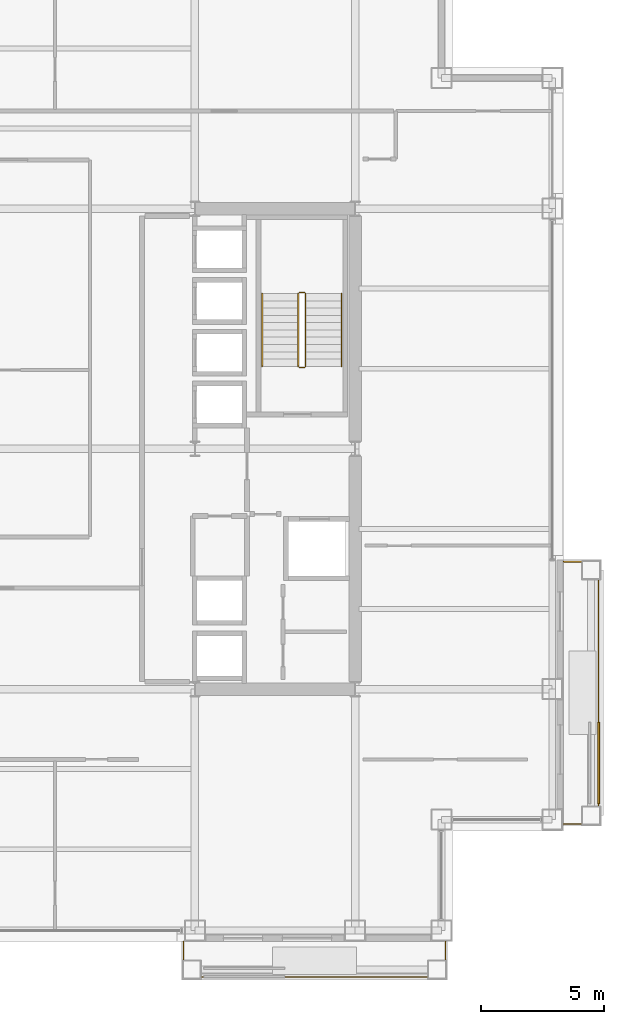
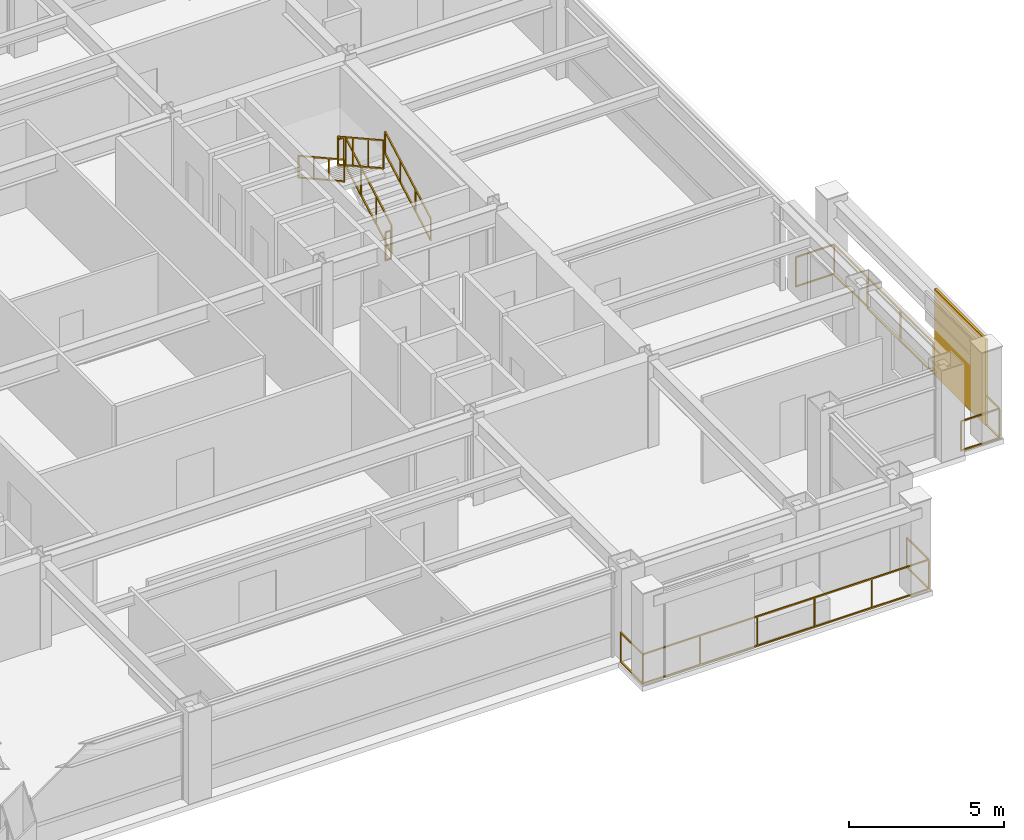
# One storey, part 30 of 31: 8 railings, 1 shading device.
"""IFC4 building model written with IfcOpenShell, lengths in metres."""

import ifcopenshell
import ifcopenshell.guid

model = None  # the IFC model being written
_history = None  # IfcOwnerHistory: only IFC2X3 demands one
_inside = {}  # id of a spatial element -> (the spatial element, [elements in it])
_under = {}  # id of a project, library or spatial element -> (it, [spatial elements below it])
_declared = {}  # id of a project -> (the project, [libraries it declares])
_typed = {}  # id of a type object -> (the type object, [elements of that type])
_made_of = {}  # id of a material, layer set ... -> (it, [elements and type objects made of it])


def new_model(schema):
    """Start an empty IFC model of exactly this schema.

    Asked for "IFC4X3", IfcOpenShell would pick the latest addendum, in which some entities
    have other attributes; the version numbers below select the first issue.
    IFC2X3 requires an IfcOwnerHistory on every rooted entity: one is made here for all.
    """
    global model, _history
    if schema == "IFC4X3":
        model = ifcopenshell.file(schema_version=(4, 3, 0, 0))
    else:
        model = ifcopenshell.file(schema=schema)
    _inside.clear()
    _under.clear()
    _declared.clear()
    _typed.clear()
    _made_of.clear()
    _history = None
    if model.schema == "IFC2X3":
        org = make("IfcOrganization", Name="unknown")
        user = make(
            "IfcPersonAndOrganization",
            ThePerson=make("IfcPerson", FamilyName="unknown"),
            TheOrganization=org,
        )
        app = make(
            "IfcApplication",
            ApplicationDeveloper=org,
            Version="unknown",
            ApplicationFullName="unknown",
            ApplicationIdentifier="unknown",
        )
        _history = make(
            "IfcOwnerHistory",
            OwningUser=user,
            OwningApplication=app,
            ChangeAction="ADDED",
            CreationDate=0,
        )
    return model


def make(cls, **values):
    """One entity of the class cls with the attributes given. An attribute that is None is left unset."""
    return model.create_entity(
        cls, **{name: value for name, value in values.items() if value is not None}
    )


def rooted(cls, **values):
    """An entity with a GlobalId (a new one), such as an element, a storey or a relation."""
    return make(cls, GlobalId=ifcopenshell.guid.new(), OwnerHistory=_history, **values)


def si_unit(unit_type, name, prefix=None):
    """IfcSIUnit, for example si_unit("LENGTHUNIT", "METRE", prefix="MILLI")."""
    return make("IfcSIUnit", UnitType=unit_type, Prefix=prefix, Name=name)


def assignment(units):
    """IfcUnitAssignment: the units of a project."""
    return None if units is None else make("IfcUnitAssignment", Units=units)


def point(xyz):
    """IfcCartesianPoint."""
    return None if xyz is None else make("IfcCartesianPoint", Coordinates=xyz)


def direction(xyz):
    """IfcDirection."""
    return None if xyz is None else make("IfcDirection", DirectionRatios=xyz)


def frame(location, z_axis=None, x_axis=None):
    """IfcAxis2Placement3D, a coordinate frame: its origin and axes. An axis left out is left unset."""
    return make(
        "IfcAxis2Placement3D",
        Location=point(location),
        Axis=direction(z_axis),
        RefDirection=direction(x_axis),
    )


def frame_2d(location, x_axis=None):
    """IfcAxis2Placement2D, a coordinate frame in the plane: its origin and x axis."""
    return make(
        "IfcAxis2Placement2D", Location=point(location), RefDirection=direction(x_axis)
    )


def origin():
    """The frame at (0, 0, 0) with its axes left unset."""
    return frame((0.0, 0.0, 0.0))


def origin_2d():
    """The frame at (0, 0) in the plane with its x axis left unset."""
    return frame_2d((0.0, 0.0))


def place(relative_to, where):
    """IfcLocalPlacement: puts the frame where relative to a parent placement (None: the world)."""
    return make(
        "IfcLocalPlacement", PlacementRelTo=relative_to, RelativePlacement=where
    )


def context(
    kind, dimensions, precision=None, world=None, true_north=None, identifier=None
):
    """IfcGeometricRepresentationContext, for example the 3D "Model" context."""
    return make(
        "IfcGeometricRepresentationContext",
        ContextIdentifier=identifier,
        ContextType=kind,
        CoordinateSpaceDimension=dimensions,
        Precision=precision,
        WorldCoordinateSystem=world,
        TrueNorth=true_north,
    )


def subcontext(parent, identifier, kind, view, scale=None):
    """IfcGeometricRepresentationSubContext, for example "Body" below "Model"."""
    return make(
        "IfcGeometricRepresentationSubContext",
        ContextIdentifier=identifier,
        ContextType=kind,
        ParentContext=parent,
        TargetScale=scale,
        TargetView=view,
    )


def project(units=None, contexts=None):
    """IfcProject with its units and contexts."""
    return rooted(
        "IfcProject",
        Name="project",
        RepresentationContexts=contexts,
        UnitsInContext=assignment(units),
    )


def spatial(cls, under=None, at=None, **own):
    """A site, building, storey or space (cls), placed at a placement, below another one or the project."""
    s = rooted(cls, ObjectPlacement=at, **own)
    if under is not None:
        _under.setdefault(under.id(), (under, []))[1].append(s)
    return s


def profile(cls, at=None, kind="AREA", **sizes):
    """A parametric profile (cls). Its sizes go by their IFC names, for example OverallWidth=200.0."""
    return make(cls, ProfileType=kind, Position=at, **sizes)


def rectangle(**sizes):
    """IfcRectangleProfileDef."""
    return profile("IfcRectangleProfileDef", **sizes)


def extrude(swept, where, along, depth):
    """IfcExtrudedAreaSolid: the profile swept, set in the frame where, extruded along a direction by depth."""
    return make(
        "IfcExtrudedAreaSolid",
        SweptArea=swept,
        Position=where,
        ExtrudedDirection=direction(along),
        Depth=depth,
    )


def shape(context_of_items, identifier, shape_type, items):
    """IfcShapeRepresentation: the items that make up one representation, for example the "Body"."""
    return make(
        "IfcShapeRepresentation",
        ContextOfItems=context_of_items,
        RepresentationIdentifier=identifier,
        RepresentationType=shape_type,
        Items=items,
    )


def material(Name=None, Category=None):
    """IfcMaterial."""
    return make("IfcMaterial", Name=Name, Category=Category)


def layer(
    of_material, thickness, ventilated=None, Name=None, Category=None, Priority=None
):
    """IfcMaterialLayer: one layer of a wall or slab, of a material (None: an air gap)."""
    return make(
        "IfcMaterialLayer",
        Material=of_material,
        LayerThickness=thickness,
        IsVentilated=ventilated,
        Name=Name,
        Category=Category,
        Priority=Priority,
    )


def layer_set(layers, Name=None):
    """IfcMaterialLayerSet."""
    return make("IfcMaterialLayerSet", MaterialLayers=layers, LayerSetName=Name)


def made_of(thing, what):
    """Note that an element or type object is made of a material, layer set ...; save() writes the relation."""
    if what is not None:
        _made_of.setdefault(what.id(), (what, []))[1].append(thing)
    return thing


def type_object(cls, material=None, **own):
    """A type object (cls), such as IfcWallType, which elements share."""
    return made_of(rooted(cls, **own), material)


def element(
    cls,
    number,
    at=None,
    inside=None,
    cuts=None,
    type_object=None,
    material=None,
    context=None,
    identifier="Body",
    shape_type=None,
    held_by="IfcProductDefinitionShape",
    body=None,
    shapes=None,
    **own,
):
    """One element of the class cls, such as IfcWall. Its Tag is "e" and its number.

    at: its placement. inside: the storey or other place that contains it. cuts: it is an
    opening in that element (IfcRelVoidsElement). A single representation is given by context,
    identifier, shape_type and body (its items); several are given by shapes. held_by: the class
    of the entity that holds the representations. save() writes the other relations.
    """
    e = rooted(cls, Tag="e%d" % number, ObjectPlacement=at, **own)
    if body is not None:
        shapes = [shape(context, identifier, shape_type, body)]
    if shapes is not None:
        e.Representation = make(held_by, Representations=shapes)
    if inside is not None:
        _inside.setdefault(inside.id(), (inside, []))[1].append(e)
    if cuts is not None:
        rooted(
            "IfcRelVoidsElement", RelatingBuildingElement=cuts, RelatedOpeningElement=e
        )
    if type_object is not None:
        _typed.setdefault(type_object.id(), (type_object, []))[1].append(e)
    return made_of(e, material)


def aggregate(whole, parts):
    """IfcRelAggregates: a whole, such as a stair, and the parts it consists of."""
    return rooted("IfcRelAggregates", RelatingObject=whole, RelatedObjects=parts)


def save(model, path):
    """Write the relations noted so far, then the file.

    IfcRelAggregates (storeys below a building ...), IfcRelContainedInSpatialStructure (elements
    in a storey), IfcRelDefinesByType, IfcRelAssociatesMaterial and IfcRelDeclares: one each for
    every whole, place, type object, material and project.
    """
    for whole, parts in _under.values():
        aggregate(whole, parts)
    for where, things in _inside.values():
        rooted(
            "IfcRelContainedInSpatialStructure",
            RelatedElements=things,
            RelatingStructure=where,
        )
    for kind, things in _typed.values():
        rooted("IfcRelDefinesByType", RelatedObjects=things, RelatingType=kind)
    for what, things in _made_of.values():
        rooted("IfcRelAssociatesMaterial", RelatedObjects=things, RelatingMaterial=what)
    for by, libraries in _declared.values():
        rooted("IfcRelDeclares", RelatingContext=by, RelatedDefinitions=libraries)
    model.write(path)


model = new_model("IFC4")

# Units and contexts
model_context = context("Model", 3, precision=1e-05, world=origin(), true_north=direction((0.0, 1.0)))
body_context = subcontext(model_context, "Body", "Model", "MODEL_VIEW")
ifc_project = project(units=[si_unit("LENGTHUNIT", "METRE"), si_unit("AREAUNIT", "SQUARE_METRE"), si_unit("VOLUMEUNIT", "CUBIC_METRE"), si_unit("PLANEANGLEUNIT", "RADIAN"), si_unit("MASSUNIT", "GRAM", prefix="KILO")], contexts=[model_context])

# Site, building, storey
site_placement = place(None, origin())
site = spatial("IfcSite", under=ifc_project, at=site_placement, CompositionType="ELEMENT")
building_placement = place(site_placement, origin())
building = spatial("IfcBuilding", under=site, at=building_placement, Name="Brelmoor Portico Tower", CompositionType="ELEMENT")
storey_placement = place(building_placement, frame((0.0, 0.0, 113.39990234375)))
storey = spatial("IfcBuildingStorey", under=building, at=storey_placement, Name="L29", CompositionType="ELEMENT", Elevation=113.39990234375)

# Railings
ifc_material_1 = material(Name="Perforated Pale Champagne Aluminium Fretwork Guard", Category="aluminium")
railing_type_1 = type_object("IfcRailingType", Name="RL-BALUSTRADE-1200", PredefinedType="BALUSTRADE", material=ifc_material_1)
railing_1_placement = place(storey_placement, frame((7.580078125, -20.0, 0.0)))
element("IfcRailing", 1, at=railing_1_placement, inside=storey, type_object=railing_type_1, Name="L29 Tree Balcony Fretwork Balustrade S", PredefinedType="BALUSTRADE", context=body_context, shape_type="SweptSolid", body=[
    extrude(rectangle(XDim=0.048095703125, YDim=0.048095703125, at=origin_2d()), frame((0.0, 0.0, 1.17578125), z_axis=(0.0, -1.0, 0.0), x_axis=(1.0, 0.0, 0.0)), (0.0, 0.0, 1.0), 1.429931640625),
    extrude(rectangle(XDim=0.048095703125, YDim=0.048095703125, at=origin_2d()), frame((0.0, 0.0, 0.02392578125), z_axis=(0.0, -1.0, 0.0), x_axis=(1.0, 0.0, 0.0)), (0.0, 0.0, 1.0), 1.429931640625),
    extrude(rectangle(XDim=0.048095703125, YDim=0.048095703125, at=origin_2d()), frame((0.0, -1.429931640625, 1.17578125), z_axis=(1.0, 0.0, 0.0), x_axis=(0.0, 1.0, 0.0)), (0.0, 0.0, 1.0), 10.639892578125),
    extrude(rectangle(XDim=0.048095703125, YDim=0.048095703125, at=origin_2d()), frame((0.0, -1.429931640625, 0.02392578125), z_axis=(1.0, 0.0, 0.0), x_axis=(0.0, 1.0, 0.0)), (0.0, 0.0, 1.0), 10.639892578125),
    extrude(rectangle(XDim=0.048095703125, YDim=0.048095703125, at=origin_2d()), frame((10.639892578125, -1.429931640625, 1.17578125), z_axis=(0.0, 1.0, 0.0), x_axis=(-1.0, 0.0, 0.0)), (0.0, 0.0, 1.0), 1.429931640625),
    extrude(rectangle(XDim=0.048095703125, YDim=0.048095703125, at=origin_2d()), frame((10.639892578125, -1.429931640625, 0.02392578125), z_axis=(0.0, 1.0, 0.0), x_axis=(-1.0, 0.0, 0.0)), (0.0, 0.0, 1.0), 1.429931640625),
    extrude(rectangle(XDim=0.0419921875, YDim=0.0419921875, at=origin_2d()), origin(), (0.0, 0.0, 1.0), 1.15185546875),
    extrude(rectangle(XDim=0.0419921875, YDim=0.0419921875, at=origin_2d()), frame((0.0, -1.429931640625, 0.0)), (0.0, 0.0, 1.0), 1.15185546875),
    extrude(rectangle(XDim=0.0419921875, YDim=0.0419921875, at=origin_2d()), frame((2.1279296875, -1.429931640625, 0.0)), (0.0, 0.0, 1.0), 1.15185546875),
    extrude(rectangle(XDim=0.0419921875, YDim=0.0419921875, at=origin_2d()), frame((4.255859375, -1.429931640625, 0.0)), (0.0, 0.0, 1.0), 1.15185546875),
    extrude(rectangle(XDim=0.0419921875, YDim=0.0419921875, at=origin_2d()), frame((6.384033203125, -1.429931640625, 0.0)), (0.0, 0.0, 1.0), 1.15185546875),
    extrude(rectangle(XDim=0.0419921875, YDim=0.0419921875, at=origin_2d()), frame((8.511962890625, -1.429931640625, 0.0)), (0.0, 0.0, 1.0), 1.15185546875),
    extrude(rectangle(XDim=0.0419921875, YDim=0.0419921875, at=origin_2d()), frame((10.639892578125, -1.429931640625, 0.0)), (0.0, 0.0, 1.0), 1.15185546875),
    extrude(rectangle(XDim=0.0419921875, YDim=0.0419921875, at=origin_2d()), frame((10.639892578125, 0.0, 0.0)), (0.0, 0.0, 1.0), 1.15185546875),
])
railing_2_placement = place(storey_placement, frame((23.0, -15.219970703125, 0.0)))
element("IfcRailing", 2, at=railing_2_placement, inside=storey, type_object=railing_type_1, Name="L29 Tree Balcony Fretwork Balustrade E", PredefinedType="BALUSTRADE", context=body_context, shape_type="SweptSolid", body=[
    extrude(rectangle(XDim=0.048095703125, YDim=0.048095703125, at=origin_2d()), frame((0.0, 0.0, 1.17578125), z_axis=(1.0, 0.0, 0.0), x_axis=(0.0, 1.0, 0.0)), (0.0, 0.0, 1.0), 1.429931640625),
    extrude(rectangle(XDim=0.048095703125, YDim=0.048095703125, at=origin_2d()), frame((0.0, 0.0, 0.02392578125), z_axis=(1.0, 0.0, 0.0), x_axis=(0.0, 1.0, 0.0)), (0.0, 0.0, 1.0), 1.429931640625),
    extrude(rectangle(XDim=0.048095703125, YDim=0.048095703125, at=origin_2d()), frame((1.429931640625, 0.0, 1.17578125), z_axis=(0.0, 1.0, 0.0), x_axis=(-1.0, 0.0, 0.0)), (0.0, 0.0, 1.0), 10.639892578125),
    extrude(rectangle(XDim=0.048095703125, YDim=0.048095703125, at=origin_2d()), frame((1.429931640625, 0.0, 0.02392578125), z_axis=(0.0, 1.0, 0.0), x_axis=(-1.0, 0.0, 0.0)), (0.0, 0.0, 1.0), 10.639892578125),
    extrude(rectangle(XDim=0.048095703125, YDim=0.048095703125, at=origin_2d()), frame((1.429931640625, 10.639892578125, 1.17578125), z_axis=(-1.0, 0.0, 0.0), x_axis=(0.0, -1.0, 0.0)), (0.0, 0.0, 1.0), 1.429931640625),
    extrude(rectangle(XDim=0.048095703125, YDim=0.048095703125, at=origin_2d()), frame((1.429931640625, 10.639892578125, 0.02392578125), z_axis=(-1.0, 0.0, 0.0), x_axis=(0.0, -1.0, 0.0)), (0.0, 0.0, 1.0), 1.429931640625),
    extrude(rectangle(XDim=0.0419921875, YDim=0.0419921875, at=origin_2d()), origin(), (0.0, 0.0, 1.0), 1.15185546875),
    extrude(rectangle(XDim=0.0419921875, YDim=0.0419921875, at=origin_2d()), frame((1.429931640625, 0.0, 0.0)), (0.0, 0.0, 1.0), 1.15185546875),
    extrude(rectangle(XDim=0.0419921875, YDim=0.0419921875, at=origin_2d()), frame((1.429931640625, 2.1279296875, 0.0)), (0.0, 0.0, 1.0), 1.15185546875),
    extrude(rectangle(XDim=0.0419921875, YDim=0.0419921875, at=origin_2d()), frame((1.429931640625, 4.255859375, 0.0)), (0.0, 0.0, 1.0), 1.15185546875),
    extrude(rectangle(XDim=0.0419921875, YDim=0.0419921875, at=origin_2d()), frame((1.429931640625, 6.384033203125, 0.0)), (0.0, 0.0, 1.0), 1.15185546875),
    extrude(rectangle(XDim=0.0419921875, YDim=0.0419921875, at=origin_2d()), frame((1.429931640625, 8.511962890625, 0.0)), (0.0, 0.0, 1.0), 1.15185546875),
    extrude(rectangle(XDim=0.0419921875, YDim=0.0419921875, at=origin_2d()), frame((1.429931640625, 10.639892578125, 0.0)), (0.0, 0.0, 1.0), 1.15185546875),
    extrude(rectangle(XDim=0.0419921875, YDim=0.0419921875, at=origin_2d()), frame((0.0, 10.639892578125, 0.0)), (0.0, 0.0, 1.0), 1.15185546875),
])
ifc_material_2 = material(Name="Painted Tubular Steel Q235B", Category="steel")
railing_type_2 = type_object("IfcRailingType", Name="RL-STAIR-GUARD", PredefinedType="GUARDRAIL", material=ifc_material_2)
railing_3_placement = place(storey_placement, frame((12.5400390625, 3.35009765625, 0.163818359375)))
element("IfcRailing", 3, at=railing_3_placement, inside=storey, type_object=railing_type_2, Name="L29 ST-E stair guard 1", PredefinedType="GUARDRAIL", context=body_context, shape_type="SweptSolid", body=[
    extrude(rectangle(XDim=0.048095703125, YDim=0.048095703125, at=origin_2d()), frame((0.0, 0.0, 1.1259765625), z_axis=(0.0, 0.87448821551, 0.485046761595), x_axis=(-1.0, 0.0, 0.0)), (0.0, 0.0, 1.0), 3.373291015625),
    extrude(rectangle(XDim=0.048095703125, YDim=0.048095703125, at=origin_2d()), frame((0.0, 0.0, 0.02392578125), z_axis=(0.0, 0.87448821551, 0.485046761595), x_axis=(-1.0, 0.0, 0.0)), (0.0, 0.0, 1.0), 3.373291015625),
    extrude(rectangle(XDim=0.0419921875, YDim=0.0419921875, at=origin_2d()), origin(), (0.0, 0.0, 1.0), 1.101806640625),
    extrude(rectangle(XDim=0.0419921875, YDim=0.0419921875, at=origin_2d()), frame((0.0, 0.9833984375, 0.54541015625)), (0.0, 0.0, 1.0), 1.101806640625),
    extrude(rectangle(XDim=0.0419921875, YDim=0.0419921875, at=origin_2d()), frame((0.0, 1.966552734375, 1.0908203125)), (0.0, 0.0, 1.0), 1.101806640625),
    extrude(rectangle(XDim=0.0419921875, YDim=0.0419921875, at=origin_2d()), frame((0.0, 2.949951171875, 1.63623046875)), (0.0, 0.0, 1.0), 1.101806640625),
])
railing_4_placement = place(storey_placement, frame((12.489990234375, 6.35009765625, 1.800048828125)))
element("IfcRailing", 4, at=railing_4_placement, inside=storey, type_object=railing_type_2, Name="L29 ST-E stair guard 2", PredefinedType="GUARDRAIL", context=body_context, shape_type="SweptSolid", body=[
    extrude(rectangle(XDim=0.048095703125, YDim=0.048095703125, at=origin_2d()), frame((0.0, 0.0, 1.1259765625), z_axis=(-1.0, 0.0, 0.0), x_axis=(0.0, -1.0, 0.0)), (0.0, 0.0, 1.0), 0.199951171875),
    extrude(rectangle(XDim=0.048095703125, YDim=0.048095703125, at=origin_2d()), frame((0.0, 0.0, 0.02392578125), z_axis=(-1.0, 0.0, 0.0), x_axis=(0.0, -1.0, 0.0)), (0.0, 0.0, 1.0), 0.199951171875),
    extrude(rectangle(XDim=0.0419921875, YDim=0.0419921875, at=origin_2d()), origin(), (0.0, 0.0, 1.0), 1.101806640625),
    extrude(rectangle(XDim=0.0419921875, YDim=0.0419921875, at=origin_2d()), frame((-0.199951171875, 0.0, 0.0)), (0.0, 0.0, 1.0), 1.101806640625),
])
railing_5_placement = place(storey_placement, frame((12.239990234375, 6.300048828125, 1.963623046875)))
element("IfcRailing", 5, at=railing_5_placement, inside=storey, type_object=railing_type_2, Name="L29 ST-E stair guard 3", PredefinedType="GUARDRAIL", context=body_context, shape_type="SweptSolid", body=[
    extrude(rectangle(XDim=0.048095703125, YDim=0.048095703125, at=origin_2d()), frame((0.0, 0.0, 1.1259765625), z_axis=(0.0, -0.874457516365, 0.485102104791), x_axis=(1.0, 0.0, 0.0)), (0.0, 0.0, 1.0), 3.37353515625),
    extrude(rectangle(XDim=0.048095703125, YDim=0.048095703125, at=origin_2d()), frame((0.0, 0.0, 0.02392578125), z_axis=(0.0, -0.874457516365, 0.485102104791), x_axis=(1.0, 0.0, 0.0)), (0.0, 0.0, 1.0), 3.37353515625),
    extrude(rectangle(XDim=0.0419921875, YDim=0.0419921875, at=origin_2d()), origin(), (0.0, 0.0, 1.0), 1.101806640625),
    extrude(rectangle(XDim=0.0419921875, YDim=0.0419921875, at=origin_2d()), frame((0.0, -0.9833984375, 0.54541015625)), (0.0, 0.0, 1.0), 1.101806640625),
    extrude(rectangle(XDim=0.0419921875, YDim=0.0419921875, at=origin_2d()), frame((0.0, -1.966552734375, 1.091064453125)), (0.0, 0.0, 1.0), 1.101806640625),
    extrude(rectangle(XDim=0.0419921875, YDim=0.0419921875, at=origin_2d()), frame((0.0, -2.949951171875, 1.636474609375)), (0.0, 0.0, 1.0), 1.101806640625),
])
railing_6_placement = place(storey_placement, frame((12.489990234375, 3.300048828125, 0.0)))
element("IfcRailing", 6, at=railing_6_placement, inside=storey, type_object=railing_type_2, Name="L29 ST-E stair guard 4", PredefinedType="GUARDRAIL", context=body_context, shape_type="SweptSolid", body=[
    extrude(rectangle(XDim=0.048095703125, YDim=0.048095703125, at=origin_2d()), frame((0.0, 0.0, 1.1259765625), z_axis=(-1.0, 0.0, 0.0), x_axis=(0.0, -1.0, 0.0)), (0.0, 0.0, 1.0), 0.199951171875),
    extrude(rectangle(XDim=0.048095703125, YDim=0.048095703125, at=origin_2d()), frame((0.0, 0.0, 0.02392578125), z_axis=(-1.0, 0.0, 0.0), x_axis=(0.0, -1.0, 0.0)), (0.0, 0.0, 1.0), 0.199951171875),
    extrude(rectangle(XDim=0.0419921875, YDim=0.0419921875, at=origin_2d()), origin(), (0.0, 0.0, 1.0), 1.101806640625),
    extrude(rectangle(XDim=0.0419921875, YDim=0.0419921875, at=origin_2d()), frame((-0.199951171875, 0.0, 0.0)), (0.0, 0.0, 1.0), 1.101806640625),
])
ifc_material_3 = material(Name="Brushed Stainless Steel 304", Category="steel")
railing_type_3 = type_object("IfcRailingType", Name="RL-STAIR-HANDRAIL", PredefinedType="HANDRAIL", material=ifc_material_3)
railing_7_placement = place(storey_placement, frame((14.0, 3.35009765625, 0.163818359375)))
element("IfcRailing", 7, at=railing_7_placement, inside=storey, type_object=railing_type_3, Name="L29 ST-E stair handrail 1", PredefinedType="HANDRAIL", context=body_context, shape_type="SweptSolid", body=[
    extrude(rectangle(XDim=0.048095703125, YDim=0.048095703125, at=origin_2d()), frame((0.0, 0.0, 0.8759765625), z_axis=(0.0, 0.87448821551, 0.485046761595), x_axis=(-1.0, 0.0, 0.0)), (0.0, 0.0, 1.0), 3.373291015625),
    extrude(rectangle(XDim=0.048095703125, YDim=0.048095703125, at=origin_2d()), frame((0.0, 0.0, 0.02392578125), z_axis=(0.0, 0.87448821551, 0.485046761595), x_axis=(-1.0, 0.0, 0.0)), (0.0, 0.0, 1.0), 3.373291015625),
    extrude(rectangle(XDim=0.0419921875, YDim=0.0419921875, at=origin_2d()), origin(), (0.0, 0.0, 1.0), 0.851806640625),
    extrude(rectangle(XDim=0.0419921875, YDim=0.0419921875, at=origin_2d()), frame((0.0, 0.9833984375, 0.54541015625)), (0.0, 0.0, 1.0), 0.851806640625),
    extrude(rectangle(XDim=0.0419921875, YDim=0.0419921875, at=origin_2d()), frame((0.0, 1.966552734375, 1.0908203125)), (0.0, 0.0, 1.0), 0.851806640625),
    extrude(rectangle(XDim=0.0419921875, YDim=0.0419921875, at=origin_2d()), frame((0.0, 2.949951171875, 1.63623046875)), (0.0, 0.0, 1.0), 0.851806640625),
])
railing_8_placement = place(storey_placement, frame((10.780029296875, 6.300048828125, 1.963623046875)))
element("IfcRailing", 8, at=railing_8_placement, inside=storey, type_object=railing_type_3, Name="L29 ST-E stair handrail 2", PredefinedType="HANDRAIL", context=body_context, shape_type="SweptSolid", body=[
    extrude(rectangle(XDim=0.048095703125, YDim=0.048095703125, at=origin_2d()), frame((0.0, 0.0, 0.8759765625), z_axis=(0.0, -0.874457516365, 0.485102104791), x_axis=(1.0, 0.0, 0.0)), (0.0, 0.0, 1.0), 3.37353515625),
    extrude(rectangle(XDim=0.048095703125, YDim=0.048095703125, at=origin_2d()), frame((0.0, 0.0, 0.02392578125), z_axis=(0.0, -0.874457516365, 0.485102104791), x_axis=(1.0, 0.0, 0.0)), (0.0, 0.0, 1.0), 3.37353515625),
    extrude(rectangle(XDim=0.0419921875, YDim=0.0419921875, at=origin_2d()), origin(), (0.0, 0.0, 1.0), 0.851806640625),
    extrude(rectangle(XDim=0.0419921875, YDim=0.0419921875, at=origin_2d()), frame((0.0, -0.9833984375, 0.54541015625)), (0.0, 0.0, 1.0), 0.851806640625),
    extrude(rectangle(XDim=0.0419921875, YDim=0.0419921875, at=origin_2d()), frame((0.0, -1.966552734375, 1.091064453125)), (0.0, 0.0, 1.0), 0.851806640625),
    extrude(rectangle(XDim=0.0419921875, YDim=0.0419921875, at=origin_2d()), frame((0.0, -2.949951171875, 1.636474609375)), (0.0, 0.0, 1.0), 0.851806640625),
])

# Shading device
ifc_material_4 = material(Name="Powder-Coated Aluminium Shuttered Jalousie", Category="aluminium")
ifc_layer = layer(ifc_material_4, 0.080078125)
ifc_layer_set = layer_set([ifc_layer], Name="Powder-Coated Aluminium Shuttered Jalousie")
shading_device_type = type_object("IfcShadingDeviceType", Name="SD-JALOUSIE-LOGGIA", PredefinedType="JALOUSIE", material=ifc_layer_set)
shading_device_placement = place(storey_placement, frame((24.429931640625, -12.75, 0.000244140625), z_axis=(0.0, 0.0, 1.0), x_axis=(0.0, 1.0, 0.0)))
element("IfcShadingDevice", 9, at=shading_device_placement, inside=storey, type_object=shading_device_type, Name="L29 Loggia Shuttered Jalousie E", PredefinedType="JALOUSIE", context=body_context, shape_type="SweptSolid", body=[
    extrude(rectangle(XDim=3.300048828125, YDim=0.080078125, at=origin_2d()), origin(), (0.0, 0.0, 1.0), 3.39990234375),
])

save(model, "model.ifc")
